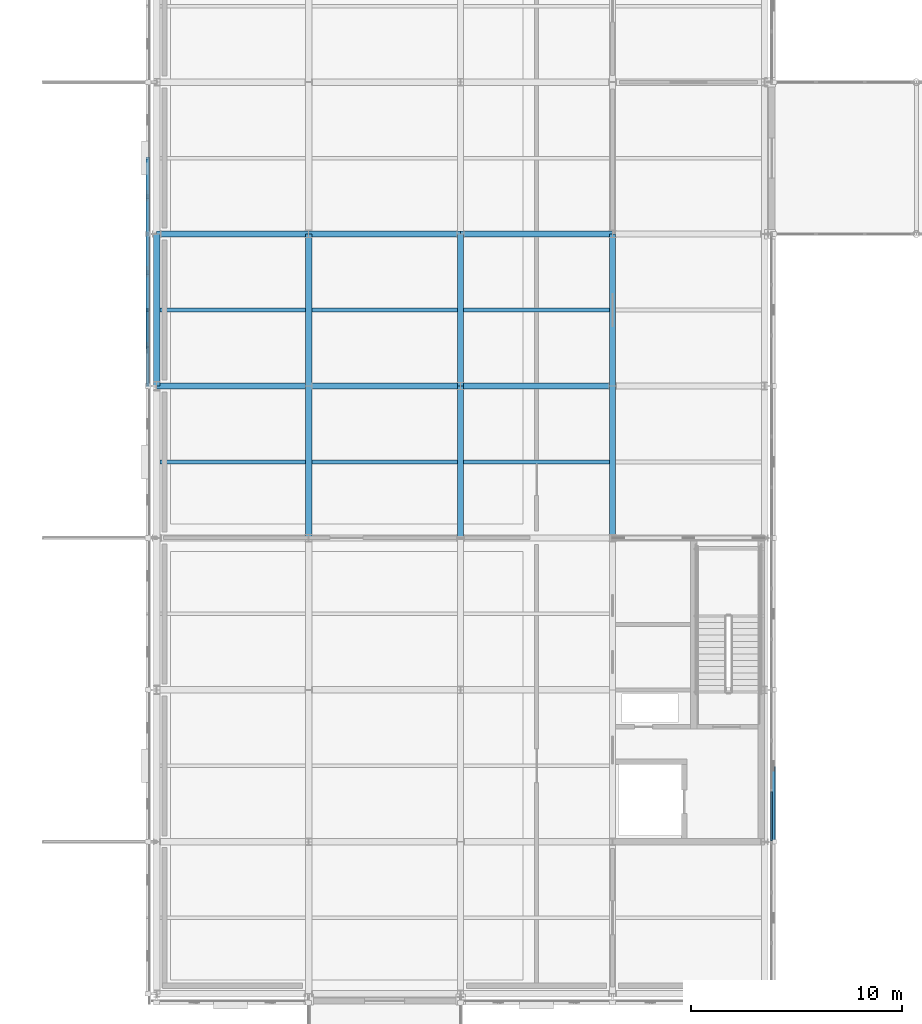
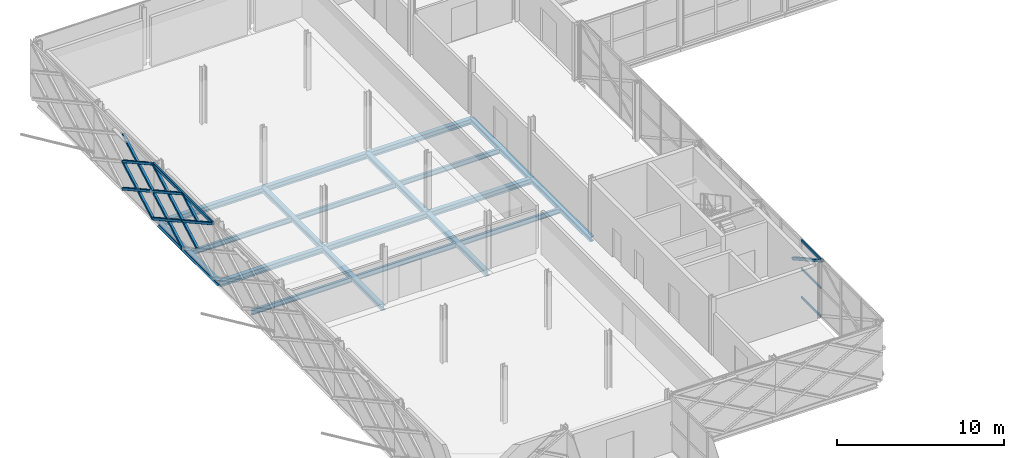
# One storey, part 50 of 146: 20 members, 19 beams, 1 element without a shape of its own.
"""IFC4 building model written with IfcOpenShell, lengths in metres."""

from ifc_helpers import new_model, si_unit, direction, frame, origin, origin_2d, place, context, subcontext, project, spatial, rectangle, hollow_rectangle, i_section, extrude, material, material_profile, profile_set, type_object, element, aggregate, save


model = new_model("IFC4")

# Units and contexts
model_context = context("Model", 3, precision=1e-05, world=origin(), true_north=direction((0.0, 1.0)))
body_context = subcontext(model_context, "Body", "Model", "MODEL_VIEW")
ifc_project = project(units=[si_unit("LENGTHUNIT", "METRE"), si_unit("AREAUNIT", "SQUARE_METRE"), si_unit("VOLUMEUNIT", "CUBIC_METRE"), si_unit("PLANEANGLEUNIT", "RADIAN"), si_unit("MASSUNIT", "GRAM", prefix="KILO")], contexts=[model_context])

# Site, building, storey
site_placement = place(None, origin())
site = spatial("IfcSite", under=ifc_project, at=site_placement, CompositionType="ELEMENT")
building_placement = place(site_placement, origin())
building = spatial("IfcBuilding", under=site, at=building_placement, Name="Zlatovets Crest Museum", CompositionType="ELEMENT")
storey_placement = place(building_placement, frame((0.0, 0.0, 4.5)))
storey = spatial("IfcBuildingStorey", under=building, at=storey_placement, Name="L01", CompositionType="ELEMENT", Elevation=4.5)

# Beams
ifc_material_1 = material(Name="Structural steel S355J2", Category="steel")
ifc_material_profile_1 = material_profile(ifc_material_1, i_section(OverallWidth=0.300048828125, OverallDepth=0.389892578125, WebThickness=0.010986328125, FlangeThickness=0.01904296875, FilletRadius=0.027099609375, at=origin_2d()), Name="HEA 400")
ifc_profile_set_1 = profile_set([ifc_material_profile_1], Name="Structural steel S355J2")
beam_type_1 = type_object("IfcBeamType", Name="Beam_B-02", PredefinedType="BEAM", material=ifc_profile_set_1)
beam_1_placement = place(storey_placement, frame((7.199951171875, 79.199951171875, -0.4150390625), z_axis=(1.0, 0.0, 0.0), x_axis=(0.0, 1.0, 0.0)))
element("IfcBeam", 1, at=beam_1_placement, inside=storey, type_object=beam_type_1, Name="V4 L01 Primary Girder B-02", PredefinedType="BEAM", context=body_context, shape_type="SweptSolid", body=[
    extrude(i_section(OverallWidth=0.300048828125, OverallDepth=0.389892578125, WebThickness=0.010986328125, FlangeThickness=0.01904296875, FilletRadius=0.027099609375, at=origin_2d()), origin(), (0.0, 0.0, 1.0), 7.199951171875),
])
beam_2_placement = place(storey_placement, frame((14.39990234375, 79.199951171875, -0.4150390625), z_axis=(1.0, 0.0, 0.0), x_axis=(0.0, 1.0, 0.0)))
element("IfcBeam", 2, at=beam_2_placement, inside=storey, type_object=beam_type_1, Name="V4 L01 Primary Girder B-02", PredefinedType="BEAM", context=body_context, shape_type="SweptSolid", body=[
    extrude(i_section(OverallWidth=0.300048828125, OverallDepth=0.389892578125, WebThickness=0.010986328125, FlangeThickness=0.01904296875, FilletRadius=0.027099609375, at=origin_2d()), origin(), (0.0, 0.0, 1.0), 7.2001953125),
])
for number, where, z_axis, x_axis, name in (
    (3, (21.60009765625, 79.199951171875, -0.4150390625), (1.0, 0.0, 0.0), (0.0, 1.0, 0.0), "V4 L01 Primary Girder B-02"),
    (4, (7.199951171875, 86.39990234375, -0.4150390625), (1.0, 0.0, 0.0), (0.0, 1.0, 0.0), "V4 L01 Primary Girder B-02"),
):
    element("IfcBeam", number, at=place(storey_placement, frame(where, z_axis=z_axis, x_axis=x_axis)), inside=storey, type_object=beam_type_1, Name=name, PredefinedType="BEAM", context=body_context, shape_type="SweptSolid", body=[
        extrude(i_section(OverallWidth=0.300048828125, OverallDepth=0.389892578125, WebThickness=0.010986328125, FlangeThickness=0.01904296875, FilletRadius=0.027099609375, at=origin_2d()), origin(), (0.0, 0.0, 1.0), 7.199951171875),
    ])
beam_3_placement = place(storey_placement, frame((14.39990234375, 86.39990234375, -0.4150390625), z_axis=(1.0, 0.0, 0.0), x_axis=(0.0, 1.0, 0.0)))
element("IfcBeam", 5, at=beam_3_placement, inside=storey, type_object=beam_type_1, Name="V4 L01 Primary Girder B-02", PredefinedType="BEAM", context=body_context, shape_type="SweptSolid", body=[
    extrude(i_section(OverallWidth=0.300048828125, OverallDepth=0.389892578125, WebThickness=0.010986328125, FlangeThickness=0.01904296875, FilletRadius=0.027099609375, at=origin_2d()), origin(), (0.0, 0.0, 1.0), 7.2001953125),
])
beam_4_placement = place(storey_placement, frame((21.60009765625, 86.39990234375, -0.4150390625), z_axis=(1.0, 0.0, 0.0), x_axis=(0.0, 1.0, 0.0)))
element("IfcBeam", 6, at=beam_4_placement, inside=storey, type_object=beam_type_1, Name="V4 L01 Primary Girder B-02", PredefinedType="BEAM", context=body_context, shape_type="SweptSolid", body=[
    extrude(i_section(OverallWidth=0.300048828125, OverallDepth=0.389892578125, WebThickness=0.010986328125, FlangeThickness=0.01904296875, FilletRadius=0.027099609375, at=origin_2d()), origin(), (0.0, 0.0, 1.0), 7.199951171875),
])
ifc_material_profile_2 = material_profile(ifc_material_1, i_section(OverallWidth=0.300048828125, OverallDepth=0.35009765625, WebThickness=0.010009765625, FlangeThickness=0.017578125, FilletRadius=0.027099609375, at=origin_2d()), Name="HEA 360")
ifc_profile_set_2 = profile_set([ifc_material_profile_2], Name="Structural steel S355J2")
beam_type_2 = type_object("IfcBeamType", Name="Beam_B-03", PredefinedType="BEAM", material=ifc_profile_set_2)
for number, where, z_axis, x_axis, name in (
    (7, (7.199951171875, 79.199951171875, -0.39501953125), (0.0, 1.0, 0.0), (-1.0, 0.0, 0.0), "V4 L01 Grid Beam B-03"),
    (8, (14.39990234375, 72.0, -0.39501953125), (0.0, 1.0, 0.0), (-1.0, 0.0, 0.0), "V4 L01 Grid Beam B-03"),
    (9, (14.39990234375, 79.199951171875, -0.39501953125), (0.0, 1.0, 0.0), (-1.0, 0.0, 0.0), "V4 L01 Grid Beam B-03"),
    (10, (21.60009765625, 72.0, -0.39501953125), (0.0, 1.0, 0.0), (-1.0, 0.0, 0.0), "V4 L01 Grid Beam B-03"),
    (11, (21.60009765625, 79.199951171875, -0.39501953125), (0.0, 1.0, 0.0), (-1.0, 0.0, 0.0), "V4 L01 Grid Beam B-03"),
    (12, (28.800048828125, 72.0, -0.39501953125), (0.0, 1.0, 0.0), (-1.0, 0.0, 0.0), "V4 L01 Grid Beam B-03"),
    (13, (28.800048828125, 79.199951171875, -0.39501953125), (0.0, 1.0, 0.0), (-1.0, 0.0, 0.0), "V4 L01 Grid Beam B-03"),
):
    element("IfcBeam", number, at=place(storey_placement, frame(where, z_axis=z_axis, x_axis=x_axis)), inside=storey, type_object=beam_type_2, Name=name, PredefinedType="BEAM", context=body_context, shape_type="SweptSolid", body=[
        extrude(i_section(OverallWidth=0.300048828125, OverallDepth=0.35009765625, WebThickness=0.010009765625, FlangeThickness=0.017578125, FilletRadius=0.027099609375, at=origin_2d()), origin(), (0.0, 0.0, 1.0), 7.199951171875),
    ])
ifc_material_profile_3 = material_profile(ifc_material_1, i_section(OverallWidth=0.169921875, OverallDepth=0.360107421875, WebThickness=0.008056640625, FlangeThickness=0.0126953125, FilletRadius=0.01806640625, at=origin_2d()), Name="IPE 360")
ifc_profile_set_3 = profile_set([ifc_material_profile_3], Name="Structural steel S355J2")
beam_type_3 = type_object("IfcBeamType", Name="Beam_J-01", PredefinedType="JOIST", material=ifc_profile_set_3)
for number, where, z_axis, x_axis, name in (
    (14, (7.35009765625, 75.60009765625, -0.39990234375), (1.0, 0.0, 0.0), (0.0, 1.0, 0.0), "V4 L01 Composite Joist J-01"),
    (15, (7.35009765625, 82.800048828125, -0.39990234375), (1.0, 0.0, 0.0), (0.0, 1.0, 0.0), "V4 L01 Composite Joist J-01"),
    (16, (14.550048828125, 75.60009765625, -0.39990234375), (1.0, 0.0, 0.0), (0.0, 1.0, 0.0), "V4 L01 Composite Joist J-01"),
    (17, (14.550048828125, 82.800048828125, -0.39990234375), (1.0, 0.0, 0.0), (0.0, 1.0, 0.0), "V4 L01 Composite Joist J-01"),
    (18, (21.75, 75.60009765625, -0.39990234375), (1.0, 0.0, 0.0), (0.0, 1.0, 0.0), "V4 L01 Composite Joist J-01"),
    (19, (21.75, 82.800048828125, -0.39990234375), (1.0, 0.0, 0.0), (0.0, 1.0, 0.0), "V4 L01 Composite Joist J-01"),
):
    element("IfcBeam", number, at=place(storey_placement, frame(where, z_axis=z_axis, x_axis=x_axis)), inside=storey, type_object=beam_type_3, Name=name, PredefinedType="JOIST", context=body_context, shape_type="SweptSolid", body=[
        extrude(i_section(OverallWidth=0.169921875, OverallDepth=0.360107421875, WebThickness=0.008056640625, FlangeThickness=0.0126953125, FilletRadius=0.01806640625, at=origin_2d()), origin(), (0.0, 0.0, 1.0), 6.89990234375),
    ])

# Curtain wall, members
ifc_material_2 = material(Name="Bronze-anodised aluminium and low-E triple glass", Category="aluminium")
curtain_wall_type = type_object("IfcCurtainWallType", Name="CW_CW-V4-L01-M1", PredefinedType="NOTDEFINED", material=ifc_material_2)
curtain_wall_placement = place(storey_placement, origin())
curtain_wall = element("IfcCurtainWall", 20, at=curtain_wall_placement, inside=storey, type_object=curtain_wall_type, Name="V4 L01 Expressed Core Glazed Facade", PredefinedType="NOTDEFINED")
ifc_material_3 = material(Name="Bronze-anodised aluminium EN AW-6060", Category="aluminium")
ifc_material_profile_4 = material_profile(ifc_material_3, rectangle(XDim=0.080078125, YDim=0.159912109375, at=origin_2d()), Name="ALU 80x160")
ifc_profile_set_4 = profile_set([ifc_material_profile_4], Name="Bronze-anodised aluminium EN AW-6060")
member_type_1 = type_object("IfcMemberType", Name="CWTrans_T1", PredefinedType="USERDEFINED", material=ifc_profile_set_4)
member_1_placement = place(storey_placement, frame((36.340087890625, 57.659912109375, 0.030029296875), z_axis=(0.0, 1.0, 0.0), x_axis=(-1.0, 0.0, 0.0)))
member_1 = element("IfcMember", 21, at=member_1_placement, type_object=member_type_1, Name="CW-V4-L01-M1 transom 1.1", ObjectType="TRANSOM", PredefinedType="USERDEFINED", context=body_context, shape_type="SweptSolid", body=[
    extrude(rectangle(XDim=0.080078125, YDim=0.159912109375, at=origin_2d()), origin(), (0.0, 0.0, 1.0), 2.31005859375),
])
member_2_placement = place(storey_placement, frame((36.340087890625, 57.659912109375, 2.10009765625), z_axis=(0.0, 1.0, 0.0), x_axis=(-1.0, 0.0, 0.0)))
member_2 = element("IfcMember", 22, at=member_2_placement, type_object=member_type_1, Name="CW-V4-L01-M1 transom 1.2", ObjectType="TRANSOM", PredefinedType="USERDEFINED", context=body_context, shape_type="SweptSolid", body=[
    extrude(rectangle(XDim=0.080078125, YDim=0.159912109375, at=origin_2d()), origin(), (0.0, 0.0, 1.0), 2.31005859375),
])
member_3_placement = place(storey_placement, frame((36.340087890625, 57.659912109375, 4.169921875), z_axis=(0.0, 1.0, 0.0), x_axis=(-1.0, 0.0, 0.0)))
member_3 = element("IfcMember", 23, at=member_3_placement, type_object=member_type_1, Name="CW-V4-L01-M1 transom 1.3", ObjectType="TRANSOM", PredefinedType="USERDEFINED", context=body_context, shape_type="SweptSolid", body=[
    extrude(rectangle(XDim=0.080078125, YDim=0.159912109375, at=origin_2d()), origin(), (0.0, 0.0, 1.0), 2.31005859375),
])
aggregate(curtain_wall, [member_1, member_2, member_3])

# Members
ifc_material_4 = material(Name="Weathering bronze-steel S355J2W", Category="steel")
ifc_material_profile_5 = material_profile(ifc_material_4, hollow_rectangle(XDim=0.179931640625, YDim=0.179931640625, WallThickness=0.010009765625, InnerFilletRadius=0.010009765625, OuterFilletRadius=0.02001953125, at=origin_2d()), Name="SHS 180x180x10.0")
ifc_profile_set_5 = profile_set([ifc_material_profile_5], Name="Weathering bronze-steel S355J2W")
member_type_2 = type_object("IfcMemberType", Name="Lattice_XL-01", PredefinedType="BRACE", material=ifc_profile_set_5)
member_4_placement = place(storey_placement, frame((6.780029296875, 90.0, 0.10009765625), z_axis=(0.0, -0.874162868644, 0.485632864501), x_axis=(1.0, 0.0, 0.0)))
element("IfcMember", 24, at=member_4_placement, inside=storey, type_object=member_type_2, Name="Continuous Bronze Lattice Diagonal", PredefinedType="BRACE", context=body_context, shape_type="SweptSolid", body=[
    extrude(hollow_rectangle(XDim=0.179931640625, YDim=0.179931640625, WallThickness=0.010009765625, InnerFilletRadius=0.010009765625, OuterFilletRadius=0.02001953125, at=origin_2d()), origin(), (0.0, 0.0, 1.0), 4.118408203125),
])
member_5_placement = place(storey_placement, frame((6.780029296875, 90.0, 2.10009765625), z_axis=(0.0, -0.874116234569, -0.48571679862), x_axis=(1.0, 0.0, 0.0)))
element("IfcMember", 25, at=member_5_placement, inside=storey, type_object=member_type_2, Name="Split Crossing Bronze Lattice Diagonal Upper", PredefinedType="BRACE", context=body_context, shape_type="SweptSolid", body=[
    extrude(hollow_rectangle(XDim=0.179931640625, YDim=0.179931640625, WallThickness=0.010009765625, InnerFilletRadius=0.010009765625, OuterFilletRadius=0.02001953125, at=origin_2d()), origin(), (0.0, 0.0, 1.0), 1.96435546875),
])
member_6_placement = place(storey_placement, frame((6.780029296875, 88.116943359375, 1.053955078125), z_axis=(0.0, -0.874169001841, -0.485621824284), x_axis=(1.0, 0.0, 0.0)))
element("IfcMember", 26, at=member_6_placement, inside=storey, type_object=member_type_2, Name="Split Crossing Bronze Lattice Diagonal Lower", PredefinedType="BRACE", context=body_context, shape_type="SweptSolid", body=[
    extrude(hollow_rectangle(XDim=0.179931640625, YDim=0.179931640625, WallThickness=0.010009765625, InnerFilletRadius=0.010009765625, OuterFilletRadius=0.02001953125, at=origin_2d()), origin(), (0.0, 0.0, 1.0), 1.964111328125),
])
member_7_placement = place(storey_placement, frame((6.780029296875, 90.0, 2.10009765625), z_axis=(0.0, -0.874162868644, 0.485632864501), x_axis=(1.0, 0.0, 0.0)))
element("IfcMember", 27, at=member_7_placement, inside=storey, type_object=member_type_2, Name="Continuous Bronze Lattice Diagonal", PredefinedType="BRACE", context=body_context, shape_type="SweptSolid", body=[
    extrude(hollow_rectangle(XDim=0.179931640625, YDim=0.179931640625, WallThickness=0.010009765625, InnerFilletRadius=0.010009765625, OuterFilletRadius=0.02001953125, at=origin_2d()), origin(), (0.0, 0.0, 1.0), 4.118408203125),
])
member_8_placement = place(storey_placement, frame((6.780029296875, 90.0, 4.10009765625), z_axis=(0.0, -0.874116234569, -0.48571679862), x_axis=(1.0, 0.0, 0.0)))
element("IfcMember", 28, at=member_8_placement, inside=storey, type_object=member_type_2, Name="Split Crossing Bronze Lattice Diagonal Upper", PredefinedType="BRACE", context=body_context, shape_type="SweptSolid", body=[
    extrude(hollow_rectangle(XDim=0.179931640625, YDim=0.179931640625, WallThickness=0.010009765625, InnerFilletRadius=0.010009765625, OuterFilletRadius=0.02001953125, at=origin_2d()), origin(), (0.0, 0.0, 1.0), 1.96435546875),
])
member_9_placement = place(storey_placement, frame((6.780029296875, 88.116943359375, 3.053955078125), z_axis=(0.0, -0.874169001841, -0.485621824284), x_axis=(1.0, 0.0, 0.0)))
element("IfcMember", 29, at=member_9_placement, inside=storey, type_object=member_type_2, Name="Split Crossing Bronze Lattice Diagonal Lower", PredefinedType="BRACE", context=body_context, shape_type="SweptSolid", body=[
    extrude(hollow_rectangle(XDim=0.179931640625, YDim=0.179931640625, WallThickness=0.010009765625, InnerFilletRadius=0.010009765625, OuterFilletRadius=0.02001953125, at=origin_2d()), origin(), (0.0, 0.0, 1.0), 1.964111328125),
])
member_10_placement = place(storey_placement, frame((6.780029296875, 86.39990234375, 0.10009765625), z_axis=(0.0, -0.874148886685, 0.485658031857), x_axis=(1.0, 0.0, 0.0)))
element("IfcMember", 30, at=member_10_placement, inside=storey, type_object=member_type_2, Name="Continuous Bronze Lattice Diagonal", PredefinedType="BRACE", context=body_context, shape_type="SweptSolid", body=[
    extrude(hollow_rectangle(XDim=0.179931640625, YDim=0.179931640625, WallThickness=0.010009765625, InnerFilletRadius=0.010009765625, OuterFilletRadius=0.02001953125, at=origin_2d()), origin(), (0.0, 0.0, 1.0), 4.1181640625),
])
for number, where, z_axis, x_axis, name in (
    (31, (6.780029296875, 86.39990234375, 2.10009765625), (0.0, -0.874086907708, -0.485769572713), (1.0, 0.0, 0.0), "Split Crossing Bronze Lattice Diagonal Upper"),
    (32, (6.780029296875, 84.51708984375, 1.053955078125), (0.0, -0.874169001841, -0.485621824284), (1.0, 0.0, 0.0), "Split Crossing Bronze Lattice Diagonal Lower"),
):
    element("IfcMember", number, at=place(storey_placement, frame(where, z_axis=z_axis, x_axis=x_axis)), inside=storey, type_object=member_type_2, Name=name, PredefinedType="BRACE", context=body_context, shape_type="SweptSolid", body=[
        extrude(hollow_rectangle(XDim=0.179931640625, YDim=0.179931640625, WallThickness=0.010009765625, InnerFilletRadius=0.010009765625, OuterFilletRadius=0.02001953125, at=origin_2d()), origin(), (0.0, 0.0, 1.0), 1.964111328125),
    ])
member_11_placement = place(storey_placement, frame((6.780029296875, 82.800048828125, 2.10009765625), z_axis=(0.0, -0.874116234569, -0.48571679862), x_axis=(1.0, 0.0, 0.0)))
element("IfcMember", 33, at=member_11_placement, inside=storey, type_object=member_type_2, Name="Split Crossing Bronze Lattice Diagonal Upper", PredefinedType="BRACE", context=body_context, shape_type="SweptSolid", body=[
    extrude(hollow_rectangle(XDim=0.179931640625, YDim=0.179931640625, WallThickness=0.010009765625, InnerFilletRadius=0.010009765625, OuterFilletRadius=0.02001953125, at=origin_2d()), origin(), (0.0, 0.0, 1.0), 1.96435546875),
])
member_12_placement = place(storey_placement, frame((6.780029296875, 86.39990234375, 2.10009765625), z_axis=(0.0, -0.874148886685, 0.485658031857), x_axis=(1.0, 0.0, 0.0)))
element("IfcMember", 34, at=member_12_placement, inside=storey, type_object=member_type_2, Name="Continuous Bronze Lattice Diagonal", PredefinedType="BRACE", context=body_context, shape_type="SweptSolid", body=[
    extrude(hollow_rectangle(XDim=0.179931640625, YDim=0.179931640625, WallThickness=0.010009765625, InnerFilletRadius=0.010009765625, OuterFilletRadius=0.02001953125, at=origin_2d()), origin(), (0.0, 0.0, 1.0), 4.1181640625),
])
for number, where, z_axis, x_axis, name in (
    (35, (6.780029296875, 86.39990234375, 4.10009765625), (0.0, -0.874086907708, -0.485769572713), (1.0, 0.0, 0.0), "Split Crossing Bronze Lattice Diagonal Upper"),
    (36, (6.780029296875, 84.51708984375, 3.053955078125), (0.0, -0.874169001841, -0.485621824284), (1.0, 0.0, 0.0), "Split Crossing Bronze Lattice Diagonal Lower"),
):
    element("IfcMember", number, at=place(storey_placement, frame(where, z_axis=z_axis, x_axis=x_axis)), inside=storey, type_object=member_type_2, Name=name, PredefinedType="BRACE", context=body_context, shape_type="SweptSolid", body=[
        extrude(hollow_rectangle(XDim=0.179931640625, YDim=0.179931640625, WallThickness=0.010009765625, InnerFilletRadius=0.010009765625, OuterFilletRadius=0.02001953125, at=origin_2d()), origin(), (0.0, 0.0, 1.0), 1.964111328125),
    ])
member_13_placement = place(storey_placement, frame((6.780029296875, 82.800048828125, 2.10009765625), z_axis=(0.0, -0.874162868644, 0.485632864501), x_axis=(1.0, 0.0, 0.0)))
element("IfcMember", 37, at=member_13_placement, inside=storey, type_object=member_type_2, Name="Continuous Bronze Lattice Diagonal", PredefinedType="BRACE", context=body_context, shape_type="SweptSolid", body=[
    extrude(hollow_rectangle(XDim=0.179931640625, YDim=0.179931640625, WallThickness=0.010009765625, InnerFilletRadius=0.010009765625, OuterFilletRadius=0.02001953125, at=origin_2d()), origin(), (0.0, 0.0, 1.0), 4.118408203125),
])
member_14_placement = place(storey_placement, frame((6.780029296875, 82.800048828125, 4.10009765625), z_axis=(0.0, -0.874116234569, -0.48571679862), x_axis=(1.0, 0.0, 0.0)))
element("IfcMember", 38, at=member_14_placement, inside=storey, type_object=member_type_2, Name="Split Crossing Bronze Lattice Diagonal Upper", PredefinedType="BRACE", context=body_context, shape_type="SweptSolid", body=[
    extrude(hollow_rectangle(XDim=0.179931640625, YDim=0.179931640625, WallThickness=0.010009765625, InnerFilletRadius=0.010009765625, OuterFilletRadius=0.02001953125, at=origin_2d()), origin(), (0.0, 0.0, 1.0), 1.96435546875),
])
ifc_material_profile_6 = material_profile(ifc_material_4, hollow_rectangle(XDim=0.199951171875, YDim=0.199951171875, WallThickness=0.012451171875, InnerFilletRadius=0.012451171875, OuterFilletRadius=0.02490234375, at=origin_2d()), Name="SHS 200x200x12.5")
ifc_profile_set_6 = profile_set([ifc_material_profile_6], Name="Weathering bronze-steel S355J2W")
member_type_3 = type_object("IfcMemberType", Name="Lattice_XL-02", PredefinedType="BRACE", material=ifc_profile_set_6)
member_15_placement = place(storey_placement, frame((36.419921875, 57.60009765625, 4.10009765625), z_axis=(0.0, 0.874125788284, -0.485699604958), x_axis=(-1.0, 0.0, 0.0)))
element("IfcMember", 39, at=member_15_placement, inside=storey, type_object=member_type_3, Name="Split Crossing Bronze Lattice Diagonal Upper", PredefinedType="BRACE", context=body_context, shape_type="SweptSolid", body=[
    extrude(hollow_rectangle(XDim=0.199951171875, YDim=0.199951171875, WallThickness=0.012451171875, InnerFilletRadius=0.012451171875, OuterFilletRadius=0.02490234375, at=origin_2d()), origin(), (0.0, 0.0, 1.0), 4.023193359375),
])
ifc_material_profile_7 = material_profile(ifc_material_4, hollow_rectangle(XDim=0.1201171875, YDim=0.239990234375, WallThickness=0.010009765625, InnerFilletRadius=0.010009765625, OuterFilletRadius=0.02001953125, at=origin_2d()), Name="RHS 120x240x10.0")
ifc_profile_set_7 = profile_set([ifc_material_profile_7], Name="Weathering bronze-steel S355J2W")
member_type_4 = type_object("IfcMemberType", Name="Lattice_XL-04", PredefinedType="CHORD", material=ifc_profile_set_7)
member_16_placement = place(storey_placement, frame((6.780029296875, 86.39990234375, 4.10009765625), z_axis=(0.0, -1.0, 0.0), x_axis=(1.0, 0.0, 0.0)))
element("IfcMember", 40, at=member_16_placement, inside=storey, type_object=member_type_4, Name="Art Nouveau Woven Cage Collector Ring Chord", PredefinedType="CHORD", context=body_context, shape_type="SweptSolid", body=[
    extrude(hollow_rectangle(XDim=0.1201171875, YDim=0.239990234375, WallThickness=0.010009765625, InnerFilletRadius=0.010009765625, OuterFilletRadius=0.02001953125, at=origin_2d()), origin(), (0.0, 0.0, 1.0), 7.199951171875),
])

save(model, "model.ifc")
